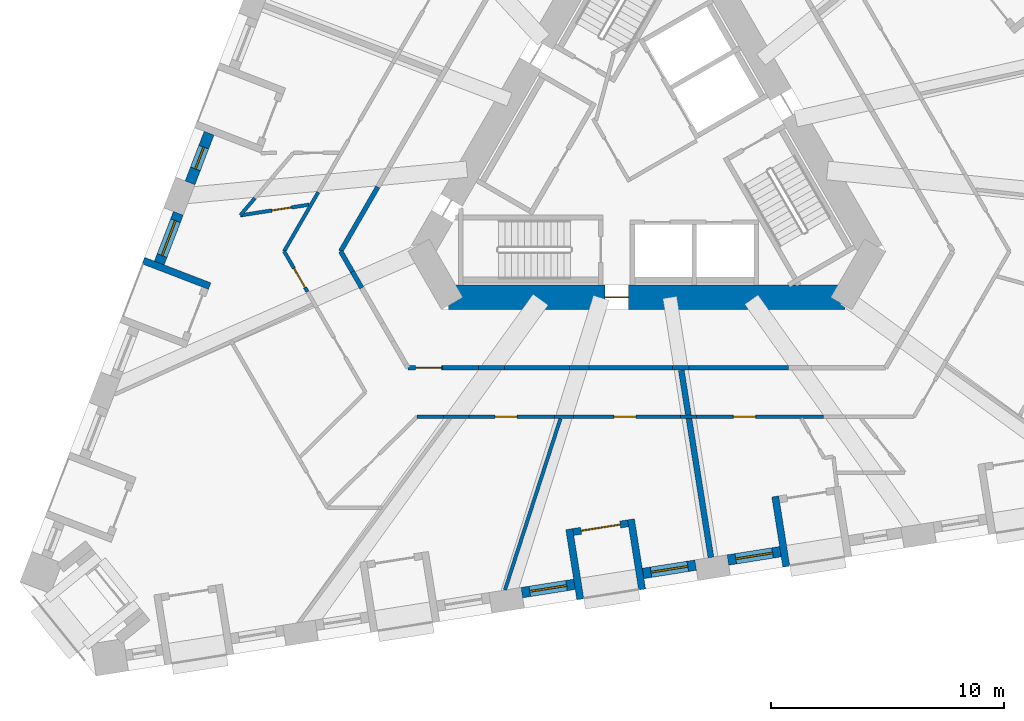
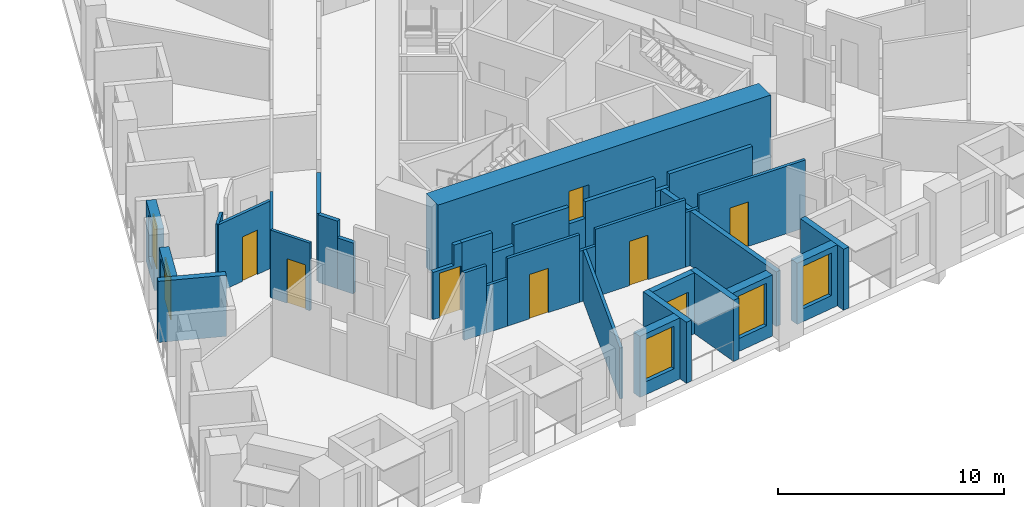
# One storey, part 3 of 13: 35 walls, 8 doors, 5 windows, 13 openings.
"""IFC4 building model written with IfcOpenShell, lengths in metres."""

import ifcopenshell
import ifcopenshell.guid

model = None  # the IFC model being written
_history = None  # IfcOwnerHistory: only IFC2X3 demands one
_inside = {}  # id of a spatial element -> (the spatial element, [elements in it])
_under = {}  # id of a project, library or spatial element -> (it, [spatial elements below it])
_declared = {}  # id of a project -> (the project, [libraries it declares])
_typed = {}  # id of a type object -> (the type object, [elements of that type])
_made_of = {}  # id of a material, layer set ... -> (it, [elements and type objects made of it])


def new_model(schema):
    """Start an empty IFC model of exactly this schema.

    Asked for "IFC4X3", IfcOpenShell would pick the latest addendum, in which some entities
    have other attributes; the version numbers below select the first issue.
    IFC2X3 requires an IfcOwnerHistory on every rooted entity: one is made here for all.
    """
    global model, _history
    if schema == "IFC4X3":
        model = ifcopenshell.file(schema_version=(4, 3, 0, 0))
    else:
        model = ifcopenshell.file(schema=schema)
    _inside.clear()
    _under.clear()
    _declared.clear()
    _typed.clear()
    _made_of.clear()
    _history = None
    if model.schema == "IFC2X3":
        org = make("IfcOrganization", Name="unknown")
        user = make(
            "IfcPersonAndOrganization",
            ThePerson=make("IfcPerson", FamilyName="unknown"),
            TheOrganization=org,
        )
        app = make(
            "IfcApplication",
            ApplicationDeveloper=org,
            Version="unknown",
            ApplicationFullName="unknown",
            ApplicationIdentifier="unknown",
        )
        _history = make(
            "IfcOwnerHistory",
            OwningUser=user,
            OwningApplication=app,
            ChangeAction="ADDED",
            CreationDate=0,
        )
    return model


def make(cls, **values):
    """One entity of the class cls with the attributes given. An attribute that is None is left unset."""
    return model.create_entity(
        cls, **{name: value for name, value in values.items() if value is not None}
    )


def rooted(cls, **values):
    """An entity with a GlobalId (a new one), such as an element, a storey or a relation."""
    return make(cls, GlobalId=ifcopenshell.guid.new(), OwnerHistory=_history, **values)


def si_unit(unit_type, name, prefix=None):
    """IfcSIUnit, for example si_unit("LENGTHUNIT", "METRE", prefix="MILLI")."""
    return make("IfcSIUnit", UnitType=unit_type, Prefix=prefix, Name=name)


def assignment(units):
    """IfcUnitAssignment: the units of a project."""
    return None if units is None else make("IfcUnitAssignment", Units=units)


def point(xyz):
    """IfcCartesianPoint."""
    return None if xyz is None else make("IfcCartesianPoint", Coordinates=xyz)


def direction(xyz):
    """IfcDirection."""
    return None if xyz is None else make("IfcDirection", DirectionRatios=xyz)


def frame(location, z_axis=None, x_axis=None):
    """IfcAxis2Placement3D, a coordinate frame: its origin and axes. An axis left out is left unset."""
    return make(
        "IfcAxis2Placement3D",
        Location=point(location),
        Axis=direction(z_axis),
        RefDirection=direction(x_axis),
    )


def frame_2d(location, x_axis=None):
    """IfcAxis2Placement2D, a coordinate frame in the plane: its origin and x axis."""
    return make(
        "IfcAxis2Placement2D", Location=point(location), RefDirection=direction(x_axis)
    )


def origin():
    """The frame at (0, 0, 0) with its axes left unset."""
    return frame((0.0, 0.0, 0.0))


def place(relative_to, where):
    """IfcLocalPlacement: puts the frame where relative to a parent placement (None: the world)."""
    return make(
        "IfcLocalPlacement", PlacementRelTo=relative_to, RelativePlacement=where
    )


def context(
    kind, dimensions, precision=None, world=None, true_north=None, identifier=None
):
    """IfcGeometricRepresentationContext, for example the 3D "Model" context."""
    return make(
        "IfcGeometricRepresentationContext",
        ContextIdentifier=identifier,
        ContextType=kind,
        CoordinateSpaceDimension=dimensions,
        Precision=precision,
        WorldCoordinateSystem=world,
        TrueNorth=true_north,
    )


def subcontext(parent, identifier, kind, view, scale=None):
    """IfcGeometricRepresentationSubContext, for example "Body" below "Model"."""
    return make(
        "IfcGeometricRepresentationSubContext",
        ContextIdentifier=identifier,
        ContextType=kind,
        ParentContext=parent,
        TargetScale=scale,
        TargetView=view,
    )


def project(units=None, contexts=None):
    """IfcProject with its units and contexts."""
    return rooted(
        "IfcProject",
        Name="project",
        RepresentationContexts=contexts,
        UnitsInContext=assignment(units),
    )


def spatial(cls, under=None, at=None, **own):
    """A site, building, storey or space (cls), placed at a placement, below another one or the project."""
    s = rooted(cls, ObjectPlacement=at, **own)
    if under is not None:
        _under.setdefault(under.id(), (under, []))[1].append(s)
    return s


def polyline(points):
    """IfcPolyline through the points."""
    return make("IfcPolyline", Points=[point(p) for p in points])


def profile(cls, at=None, kind="AREA", **sizes):
    """A parametric profile (cls). Its sizes go by their IFC names, for example OverallWidth=200.0."""
    return make(cls, ProfileType=kind, Position=at, **sizes)


def rectangle(**sizes):
    """IfcRectangleProfileDef."""
    return profile("IfcRectangleProfileDef", **sizes)


def outline(outer, holes=None, kind="AREA"):
    """IfcArbitraryClosedProfileDef: a profile drawn as a closed curve; with holes, ...WithVoids."""
    if holes is None:
        return make("IfcArbitraryClosedProfileDef", ProfileType=kind, OuterCurve=outer)
    return make(
        "IfcArbitraryProfileDefWithVoids",
        ProfileType=kind,
        OuterCurve=outer,
        InnerCurves=holes,
    )


def extrude(swept, where, along, depth):
    """IfcExtrudedAreaSolid: the profile swept, set in the frame where, extruded along a direction by depth."""
    return make(
        "IfcExtrudedAreaSolid",
        SweptArea=swept,
        Position=where,
        ExtrudedDirection=direction(along),
        Depth=depth,
    )


def shape(context_of_items, identifier, shape_type, items):
    """IfcShapeRepresentation: the items that make up one representation, for example the "Body"."""
    return make(
        "IfcShapeRepresentation",
        ContextOfItems=context_of_items,
        RepresentationIdentifier=identifier,
        RepresentationType=shape_type,
        Items=items,
    )


def material(Name=None, Category=None):
    """IfcMaterial."""
    return make("IfcMaterial", Name=Name, Category=Category)


def layer(
    of_material, thickness, ventilated=None, Name=None, Category=None, Priority=None
):
    """IfcMaterialLayer: one layer of a wall or slab, of a material (None: an air gap)."""
    return make(
        "IfcMaterialLayer",
        Material=of_material,
        LayerThickness=thickness,
        IsVentilated=ventilated,
        Name=Name,
        Category=Category,
        Priority=Priority,
    )


def layer_set(layers, Name=None):
    """IfcMaterialLayerSet."""
    return make("IfcMaterialLayerSet", MaterialLayers=layers, LayerSetName=Name)


def made_of(thing, what):
    """Note that an element or type object is made of a material, layer set ...; save() writes the relation."""
    if what is not None:
        _made_of.setdefault(what.id(), (what, []))[1].append(thing)
    return thing


def type_object(cls, material=None, **own):
    """A type object (cls), such as IfcWallType, which elements share."""
    return made_of(rooted(cls, **own), material)


def element(
    cls,
    number,
    at=None,
    inside=None,
    cuts=None,
    type_object=None,
    material=None,
    context=None,
    identifier="Body",
    shape_type=None,
    held_by="IfcProductDefinitionShape",
    body=None,
    shapes=None,
    **own,
):
    """One element of the class cls, such as IfcWall. Its Tag is "e" and its number.

    at: its placement. inside: the storey or other place that contains it. cuts: it is an
    opening in that element (IfcRelVoidsElement). A single representation is given by context,
    identifier, shape_type and body (its items); several are given by shapes. held_by: the class
    of the entity that holds the representations. save() writes the other relations.
    """
    e = rooted(cls, Tag="e%d" % number, ObjectPlacement=at, **own)
    if body is not None:
        shapes = [shape(context, identifier, shape_type, body)]
    if shapes is not None:
        e.Representation = make(held_by, Representations=shapes)
    if inside is not None:
        _inside.setdefault(inside.id(), (inside, []))[1].append(e)
    if cuts is not None:
        rooted(
            "IfcRelVoidsElement", RelatingBuildingElement=cuts, RelatedOpeningElement=e
        )
    if type_object is not None:
        _typed.setdefault(type_object.id(), (type_object, []))[1].append(e)
    return made_of(e, material)


def fill(opening, filler):
    """IfcRelFillsElement: the door or window that sits in an opening."""
    return rooted(
        "IfcRelFillsElement",
        RelatingOpeningElement=opening,
        RelatedBuildingElement=filler,
    )


def aggregate(whole, parts):
    """IfcRelAggregates: a whole, such as a stair, and the parts it consists of."""
    return rooted("IfcRelAggregates", RelatingObject=whole, RelatedObjects=parts)


def save(model, path):
    """Write the relations noted so far, then the file.

    IfcRelAggregates (storeys below a building ...), IfcRelContainedInSpatialStructure (elements
    in a storey), IfcRelDefinesByType, IfcRelAssociatesMaterial and IfcRelDeclares: one each for
    every whole, place, type object, material and project.
    """
    for whole, parts in _under.values():
        aggregate(whole, parts)
    for where, things in _inside.values():
        rooted(
            "IfcRelContainedInSpatialStructure",
            RelatedElements=things,
            RelatingStructure=where,
        )
    for kind, things in _typed.values():
        rooted("IfcRelDefinesByType", RelatedObjects=things, RelatingType=kind)
    for what, things in _made_of.values():
        rooted("IfcRelAssociatesMaterial", RelatedObjects=things, RelatingMaterial=what)
    for by, libraries in _declared.values():
        rooted("IfcRelDeclares", RelatingContext=by, RelatedDefinitions=libraries)
    model.write(path)


model = new_model("IFC4")

# Units and contexts
model_context = context("Model", 3, precision=1e-05, world=origin(), true_north=direction((0.0, 1.0)))
body_context = subcontext(model_context, "Body", "Model", "MODEL_VIEW")
ifc_project = project(units=[si_unit("LENGTHUNIT", "METRE"), si_unit("AREAUNIT", "SQUARE_METRE"), si_unit("VOLUMEUNIT", "CUBIC_METRE"), si_unit("PLANEANGLEUNIT", "RADIAN"), si_unit("MASSUNIT", "GRAM", prefix="KILO")], contexts=[model_context])

# Site, building, storey
site_placement = place(None, origin())
site = spatial("IfcSite", under=ifc_project, at=site_placement, CompositionType="ELEMENT")
building_placement = place(site_placement, origin())
building = spatial("IfcBuilding", under=site, at=building_placement, Name="Tramontana Tower", CompositionType="ELEMENT")
storey_placement = place(building_placement, frame((0.0, 0.0, 51.199951171875)))
storey = spatial("IfcBuildingStorey", under=building, at=storey_placement, Name="L10", CompositionType="ELEMENT", Elevation=51.199951171875)

# Wall, opening, door
ifc_material_1 = material(Name="Concrete 70 MPa", Category="concrete")
ifc_layer_1 = layer(ifc_material_1, 1.050048828125)
ifc_layer_set_1 = layer_set([ifc_layer_1], Name="Core wall 1050 70 MPa")
wall_type_1 = type_object("IfcWallType", Name="Core wall 1050 70 MPa", PredefinedType="SHEAR", material=ifc_layer_set_1)
wall_1_placement = place(storey_placement, frame((-8.50146484375, -6.22509765625, 0.0), z_axis=(0.0, 0.0, 1.0), x_axis=(1.0, 0.0, 0.0)))
wall_1 = element("IfcWall", 1, at=wall_1_placement, inside=storey, type_object=wall_type_1, Name="Core wall C3 L10", PredefinedType="SHEAR", context=body_context, shape_type="SweptSolid", body=[
    extrude(rectangle(XDim=17.0029296875, YDim=1.050048828125, at=frame_2d((8.50146484375, 0.0))), origin(), (0.0, 0.0, 1.0), 4.0),
])
opening_1_placement = place(wall_1_placement, frame((6.70654296875, 0.0, 0.0)))
opening_1 = element("IfcOpeningElement", 2, at=opening_1_placement, cuts=wall_1, Name="Opening RG2", PredefinedType="OPENING", context=body_context, shape_type="SweptSolid", body=[
    extrude(rectangle(XDim=1.0, YDim=2.39990234375, at=frame_2d((0.5, 1.199951171875))), frame((0.0, 0.534912109375, 0.0), z_axis=(0.0, -1.0, 0.0), x_axis=(1.0, 0.0, 0.0)), (0.0, 0.0, 1.0), 1.070068359375),
])
ifc_material_2 = material(Name="Painted steel", Category="steel")
door_type_1 = type_object("IfcDoorType", Name="RING DOOR 1000", OperationType="SINGLE_SWING_LEFT", PredefinedType="DOOR", material=ifc_material_2)
door_1_placement = place(opening_1_placement, origin())
door_1 = element("IfcDoor", 3, at=door_1_placement, inside=storey, type_object=door_type_1, Name="Door RG2", OperationType="SINGLE_SWING_RIGHT", OverallHeight=2.39990234375, OverallWidth=1.0, PredefinedType="DOOR", context=body_context, shape_type="SweptSolid", body=[
    extrude(rectangle(XDim=1.0, YDim=2.39990234375, at=frame_2d((0.5, 1.199951171875))), frame((0.0, 0.02490234375, 0.0), z_axis=(0.0, -1.0, 0.0), x_axis=(1.0, 0.0, 0.0)), (0.0, 0.0, 1.0), 0.050048828125),
])
fill(opening_1, door_1)

# Walls
ifc_material_3 = material(Name="Blockwork", Category="masonry")
ifc_layer_2 = layer(ifc_material_3, 0.199951171875)
ifc_layer_set_2 = layer_set([ifc_layer_2], Name="ENTRY WALL 200")
wall_type_2 = type_object("IfcWallType", Name="ENTRY WALL 200", PredefinedType="SOLIDWALL", material=ifc_layer_set_2)
wall_2_placement = place(storey_placement, frame((6.076171875, -9.25, 0.0), z_axis=(0.0, 0.0, 1.0), x_axis=(-1.0, 0.0, 0.0)))
element("IfcWall", 4, at=wall_2_placement, inside=storey, type_object=wall_type_2, Name="Wall v10-ew2-2", PredefinedType="SOLIDWALL", context=body_context, shape_type="SweptSolid", body=[
    extrude(rectangle(XDim=4.2568359375, YDim=0.199951171875, at=frame_2d((2.12841796875, 0.0))), origin(), (0.0, 0.0, 1.0), 3.650146484375),
])
wall_3_placement = place(storey_placement, frame((1.8193359375, -9.25, 0.0), z_axis=(0.0, 0.0, 1.0), x_axis=(-1.0, 0.0, 0.0)))
element("IfcWall", 5, at=wall_3_placement, inside=storey, type_object=wall_type_2, Name="Wall v10-ew2-3", PredefinedType="SOLIDWALL", context=body_context, shape_type="SweptSolid", body=[
    extrude(rectangle(XDim=0.708740234375, YDim=0.199951171875, at=frame_2d((0.3544921875, 0.0))), origin(), (0.0, 0.0, 1.0), 2.949951171875),
])
wall_4_placement = place(storey_placement, frame((1.110595703125, -9.25, 0.0), z_axis=(0.0, 0.0, 1.0), x_axis=(-1.0, 0.0, 0.0)))
element("IfcWall", 6, at=wall_4_placement, inside=storey, type_object=wall_type_2, Name="Wall v10-ew2-4", PredefinedType="SOLIDWALL", context=body_context, shape_type="SweptSolid", body=[
    extrude(rectangle(XDim=3.585205078125, YDim=0.199951171875, at=frame_2d((1.79248046875, 0.0))), origin(), (0.0, 0.0, 1.0), 3.650146484375),
])
wall_5_placement = place(storey_placement, frame((-2.474609375, -9.25, 0.0), z_axis=(0.0, 0.0, 1.0), x_axis=(-1.0, 0.0, 0.0)))
element("IfcWall", 7, at=wall_5_placement, inside=storey, type_object=wall_type_2, Name="Wall v10-ew2-5", PredefinedType="SOLIDWALL", context=body_context, shape_type="SweptSolid", body=[
    extrude(rectangle(XDim=0.838134765625, YDim=0.199951171875, at=frame_2d((0.4189453125, 0.0))), origin(), (0.0, 0.0, 1.0), 2.75),
])
wall_6_placement = place(storey_placement, frame((-3.312744140625, -9.25, 0.0), z_axis=(0.0, 0.0, 1.0), x_axis=(-1.0, 0.0, 0.0)))
element("IfcWall", 8, at=wall_6_placement, inside=storey, type_object=wall_type_2, Name="Wall v10-ew2-6", PredefinedType="SOLIDWALL", context=body_context, shape_type="SweptSolid", body=[
    extrude(rectangle(XDim=2.793701171875, YDim=0.199951171875, at=frame_2d((1.39697265625, 0.0))), origin(), (0.0, 0.0, 1.0), 3.650146484375),
])
wall_7_placement = place(storey_placement, frame((-6.1064453125, -9.25, 0.0), z_axis=(0.0, 0.0, 1.0), x_axis=(-1.0, 0.0, 0.0)))
element("IfcWall", 9, at=wall_7_placement, inside=storey, type_object=wall_type_2, Name="Wall v10-ew2-7", PredefinedType="SOLIDWALL", context=body_context, shape_type="SweptSolid", body=[
    extrude(rectangle(XDim=1.10888671875, YDim=0.199951171875, at=frame_2d((0.554443359375, 0.0))), origin(), (0.0, 0.0, 1.0), 2.550048828125),
])
wall_8_placement = place(storey_placement, frame((-7.21533203125, -9.25, 0.0), z_axis=(0.0, 0.0, 1.0), x_axis=(-1.0, 0.0, 0.0)))
element("IfcWall", 10, at=wall_8_placement, inside=storey, type_object=wall_type_2, Name="Wall v10-ew2-8", PredefinedType="SOLIDWALL", context=body_context, shape_type="SweptSolid", body=[
    extrude(rectangle(XDim=1.552978515625, YDim=0.199951171875, at=frame_2d((0.7763671875, 0.0))), origin(), (0.0, 0.0, 1.0), 3.650146484375),
])

# Wall, opening, door
wall_9_placement = place(storey_placement, frame((-10.248046875, -9.25, 0.0), z_axis=(0.0, 0.0, 1.0), x_axis=(1.0, 0.0, 0.0)))
wall_9 = element("IfcWall", 11, at=wall_9_placement, inside=storey, type_object=wall_type_2, Name="Wall v10-ew2-9", PredefinedType="SOLIDWALL", context=body_context, shape_type="SweptSolid", body=[
    extrude(outline(polyline([(0.0, 0.0), (1.479736328125, 0.0), (1.4794921875, 3.650146484375), (1.0703125, 3.650146484375), (1.0703125, 2.550048828125), (0.0, 2.550048828125), (0.0, 0.0)])), frame((0.0, 0.10009765625, 0.0), z_axis=(0.0, -1.0, 0.0), x_axis=(1.0, 0.0, 0.0)), (0.0, 0.0, 1.0), 0.199951171875),
])
opening_2_placement = place(wall_9_placement, frame((0.32958984375, 0.0, 0.0)))
opening_2 = element("IfcOpeningElement", 12, at=opening_2_placement, cuts=wall_9, Name="Opening B1A-29", PredefinedType="OPENING", context=body_context, shape_type="SweptSolid", body=[
    extrude(rectangle(XDim=1.10009765625, YDim=2.39990234375, at=frame_2d((0.550048828125, 1.199951171875))), frame((0.0, 0.10986328125, 0.0), z_axis=(0.0, -1.0, 0.0), x_axis=(1.0, 0.0, 0.0)), (0.0, 0.0, 1.0), 0.219970703125),
])
ifc_material_4 = material(Name="Painted timber", Category="wood")
door_type_2 = type_object("IfcDoorType", Name="DOOR ENTRY 1100", OperationType="SINGLE_SWING_LEFT", PredefinedType="DOOR", material=ifc_material_4)
door_2_placement = place(opening_2_placement, origin())
door_2 = element("IfcDoor", 13, at=door_2_placement, inside=storey, type_object=door_type_2, Name="Door B1A-29", OperationType="SINGLE_SWING_LEFT", OverallHeight=2.39990234375, OverallWidth=1.10009765625, PredefinedType="DOOR", context=body_context, shape_type="SweptSolid", body=[
    extrude(rectangle(XDim=1.10009765625, YDim=2.39990234375, at=frame_2d((0.550048828125, 1.199951171875))), frame((0.0, 0.02490234375, 0.0), z_axis=(0.0, -1.0, 0.0), x_axis=(1.0, 0.0, 0.0)), (0.0, 0.0, 1.0), 0.050048828125),
])
fill(opening_2, door_2)

# Walls
wall_10_placement = place(storey_placement, frame((-12.228515625, -5.819580078125, 0.0), z_axis=(0.0, 0.0, 1.0), x_axis=(-0.499923776705, 0.866069406852, 0.0)))
element("IfcWall", 14, at=wall_10_placement, inside=storey, type_object=wall_type_2, Name="Wall v10-ew3-4", PredefinedType="SOLIDWALL", context=body_context, shape_type="SweptSolid", body=[
    extrude(rectangle(XDim=0.804931640625, YDim=0.199951171875, at=frame_2d((0.40234375, 0.0))), origin(), (0.0, 0.0, 1.0), 2.75),
])
wall_11_placement = place(storey_placement, frame((-12.630859375, -5.12255859375, 0.0), z_axis=(0.0, 0.0, 1.0), x_axis=(-0.500099969036, 0.865967678941, 0.0)))
element("IfcWall", 15, at=wall_11_placement, inside=storey, type_object=wall_type_2, Name="Wall v10-ew3-5", PredefinedType="SOLIDWALL", context=body_context, shape_type="SweptSolid", body=[
    extrude(rectangle(XDim=1.007568359375, YDim=0.199951171875, at=frame_2d((0.50390625, 0.0))), origin(), (0.0, 0.0, 1.0), 3.650146484375),
])
wall_12_placement = place(storey_placement, frame((-13.134765625, -4.25, 0.0), z_axis=(0.0, 0.0, 1.0), x_axis=(0.50003154259, 0.866007191896, 0.0)))
element("IfcWall", 16, at=wall_12_placement, inside=storey, type_object=wall_type_2, Name="Wall v10-ew4-0", PredefinedType="SOLIDWALL", context=body_context, shape_type="SweptSolid", body=[
    extrude(rectangle(XDim=3.190673828125, YDim=0.199951171875, at=frame_2d((1.59521484375, 0.0))), origin(), (0.0, 0.0, 1.0), 3.650146484375),
])

# Wall, opening, window
ifc_material_5 = material(Name="Precast concrete 60 MPa", Category="concrete")
ifc_layer_3 = layer(ifc_material_5, 0.449951171875)
ifc_layer_set_3 = layer_set([ifc_layer_3], Name="Precast concrete 60 MPa, 450 mm")
wall_type_3 = type_object("IfcWallType", Name="EW1 Stone-faced precast wall 450", PredefinedType="SOLIDWALL", material=ifc_layer_set_3)
wall_13_placement = place(storey_placement, frame((-18.779052734375, 0.818115234375, 0.0), z_axis=(0.0, 0.0, 1.0), x_axis=(-0.358355550725, -0.933585185864, 0.0)))
wall_13 = element("IfcWall", 17, at=wall_13_placement, inside=storey, type_object=wall_type_3, Name="External wall L10 face 0 bay 4", PredefinedType="SOLIDWALL", context=body_context, shape_type="SweptSolid", body=[
    extrude(rectangle(XDim=2.282958984375, YDim=0.449951171875, at=frame_2d((1.1416015625, 0.0))), origin(), (0.0, 0.0, 1.0), 3.300048828125),
])
opening_3_placement = place(wall_13_placement, frame((0.6416015625, 0.0, 0.699951171875)))
opening_3 = element("IfcOpeningElement", 18, at=opening_3_placement, cuts=wall_13, Name="Opening N1", PredefinedType="OPENING", context=body_context, shape_type="SweptSolid", body=[
    extrude(rectangle(XDim=1.0, YDim=2.300048828125, at=frame_2d((0.5, 1.14990234375))), frame((0.0, 0.23486328125, 0.0), z_axis=(0.0, -1.0, 0.0), x_axis=(1.0, 0.0, 0.0)), (0.0, 0.0, 1.0), 0.469970703125),
])
ifc_material_6 = material(Name="Aluminum frame, double glazing unit", Category="aluminium")
window_type_1 = type_object("IfcWindowType", Name="N1 Window 1 x 2.3", PartitioningType="SINGLE_PANEL", PredefinedType="WINDOW", material=ifc_material_6)
window_1_placement = place(opening_3_placement, origin())
window_1 = element("IfcWindow", 19, at=window_1_placement, inside=storey, type_object=window_type_1, Name="Window N1 L10 face 0 module 12", OverallHeight=2.300048828125, OverallWidth=1.0, PartitioningType="SINGLE_PANEL", PredefinedType="WINDOW", context=body_context, shape_type="SweptSolid", body=[
    extrude(rectangle(XDim=1.0, YDim=2.300048828125, at=frame_2d((0.5, 1.14990234375))), frame((0.0, 0.030029296875, 0.0), z_axis=(0.0, -1.0, 0.0), x_axis=(1.0, 0.0, 0.0)), (0.0, 0.0, 1.0), 0.06005859375),
])
fill(opening_3, window_1)

wall_14_placement = place(storey_placement, frame((-20.098876953125, -2.6201171875, 0.0), z_axis=(0.0, 0.0, 1.0), x_axis=(-0.358355550725, -0.933585185864, 0.0)))
wall_14 = element("IfcWall", 20, at=wall_14_placement, inside=storey, type_object=wall_type_3, Name="External wall L10 face 0 bay 5", PredefinedType="SOLIDWALL", context=body_context, shape_type="SweptSolid", body=[
    extrude(rectangle(XDim=2.282958984375, YDim=0.449951171875, at=frame_2d((1.1416015625, 0.0))), origin(), (0.0, 0.0, 1.0), 3.300048828125),
])
opening_4_placement = place(wall_14_placement, frame((0.341552734375, 0.0, 0.699951171875)))
opening_4 = element("IfcOpeningElement", 21, at=opening_4_placement, cuts=wall_14, Name="Opening M1", PredefinedType="OPENING", context=body_context, shape_type="SweptSolid", body=[
    extrude(rectangle(XDim=1.60009765625, YDim=2.300048828125, at=frame_2d((0.800048828125, 1.14990234375))), frame((0.0, 0.23486328125, 0.0), z_axis=(0.0, -1.0, 0.0), x_axis=(1.0, 0.0, 0.0)), (0.0, 0.0, 1.0), 0.469970703125),
])
ifc_material_7 = material(Name="Aluminum frame, double glazing unit", Category="aluminium")
window_type_2 = type_object("IfcWindowType", Name="M1 Window 1.6 x 2.3", PartitioningType="SINGLE_PANEL", PredefinedType="WINDOW", material=ifc_material_7)
window_2_placement = place(opening_4_placement, origin())
window_2 = element("IfcWindow", 22, at=window_2_placement, inside=storey, type_object=window_type_2, Name="Window M1 L10 face 0 module 13", OverallHeight=2.300048828125, OverallWidth=1.60009765625, PartitioningType="SINGLE_PANEL", PredefinedType="WINDOW", context=body_context, shape_type="SweptSolid", body=[
    extrude(rectangle(XDim=1.60009765625, YDim=2.300048828125, at=frame_2d((0.800048828125, 1.14990234375))), frame((0.0, 0.030029296875, 0.0), z_axis=(0.0, -1.0, 0.0), x_axis=(1.0, 0.0, 0.0)), (0.0, 0.0, 1.0), 0.06005859375),
])
fill(opening_4, window_2)

wall_15_placement = place(storey_placement, frame((-5.35888671875, -18.89599609375, 0.0), z_axis=(0.0, 0.0, 1.0), x_axis=(0.987685675151, 0.156451293065, 0.0)))
wall_15 = element("IfcWall", 23, at=wall_15_placement, inside=storey, type_object=wall_type_3, Name="External wall L10 face 1 bay 3", PredefinedType="SOLIDWALL", context=body_context, shape_type="SweptSolid", body=[
    extrude(rectangle(XDim=2.282958984375, YDim=0.449951171875, at=frame_2d((1.1416015625, 0.0))), origin(), (0.0, 0.0, 1.0), 3.300048828125),
])
opening_5_placement = place(wall_15_placement, frame((0.341552734375, 0.0, 0.699951171875)))
opening_5 = element("IfcOpeningElement", 24, at=opening_5_placement, cuts=wall_15, Name="Opening M1", PredefinedType="OPENING", context=body_context, shape_type="SweptSolid", body=[
    extrude(rectangle(XDim=1.60009765625, YDim=2.300048828125, at=frame_2d((0.800048828125, 1.14990234375))), frame((0.0, 0.23486328125, 0.0), z_axis=(0.0, -1.0, 0.0), x_axis=(1.0, 0.0, 0.0)), (0.0, 0.0, 1.0), 0.469970703125),
])
window_3_placement = place(opening_5_placement, origin())
window_3 = element("IfcWindow", 25, at=window_3_placement, inside=storey, type_object=window_type_2, Name="Window M1 L10 face 1 module 7", OverallHeight=2.300048828125, OverallWidth=1.60009765625, PartitioningType="SINGLE_PANEL", PredefinedType="WINDOW", context=body_context, shape_type="SweptSolid", body=[
    extrude(rectangle(XDim=1.60009765625, YDim=2.300048828125, at=frame_2d((0.800048828125, 1.14990234375))), frame((0.0, 0.030029296875, 0.0), z_axis=(0.0, -1.0, 0.0), x_axis=(1.0, 0.0, 0.0)), (0.0, 0.0, 1.0), 0.06005859375),
])
fill(opening_5, window_3)

wall_16_placement = place(storey_placement, frame((-0.15771484375, -18.072265625, 0.0), z_axis=(0.0, 0.0, 1.0), x_axis=(0.987685675151, 0.156451293065, 0.0)))
wall_16 = element("IfcWall", 26, at=wall_16_placement, inside=storey, type_object=wall_type_3, Name="External wall L10 face 1 bay 3", PredefinedType="SOLIDWALL", context=body_context, shape_type="SweptSolid", body=[
    extrude(rectangle(XDim=2.282958984375, YDim=0.449951171875, at=frame_2d((1.1416015625, 0.0))), origin(), (0.0, 0.0, 1.0), 3.300048828125),
])
opening_6_placement = place(wall_16_placement, frame((0.341552734375, 0.0, 0.699951171875)))
opening_6 = element("IfcOpeningElement", 27, at=opening_6_placement, cuts=wall_16, Name="Opening M1", PredefinedType="OPENING", context=body_context, shape_type="SweptSolid", body=[
    extrude(rectangle(XDim=1.60009765625, YDim=2.300048828125, at=frame_2d((0.800048828125, 1.14990234375))), frame((0.0, 0.23486328125, 0.0), z_axis=(0.0, -1.0, 0.0), x_axis=(1.0, 0.0, 0.0)), (0.0, 0.0, 1.0), 0.469970703125),
])
window_4_placement = place(opening_6_placement, origin())
window_4 = element("IfcWindow", 28, at=window_4_placement, inside=storey, type_object=window_type_2, Name="Window M1 L10 face 1 module 9", OverallHeight=2.300048828125, OverallWidth=1.60009765625, PartitioningType="SINGLE_PANEL", PredefinedType="WINDOW", context=body_context, shape_type="SweptSolid", body=[
    extrude(rectangle(XDim=1.60009765625, YDim=2.300048828125, at=frame_2d((0.800048828125, 1.14990234375))), frame((0.0, 0.030029296875, 0.0), z_axis=(0.0, -1.0, 0.0), x_axis=(1.0, 0.0, 0.0)), (0.0, 0.0, 1.0), 0.06005859375),
])
fill(opening_6, window_4)

wall_17_placement = place(storey_placement, frame((3.479736328125, -17.49609375, 0.0), z_axis=(0.0, 0.0, 1.0), x_axis=(0.987685675151, 0.156451293065, 0.0)))
wall_17 = element("IfcWall", 29, at=wall_17_placement, inside=storey, type_object=wall_type_3, Name="External wall L10 face 1 bay 4", PredefinedType="SOLIDWALL", context=body_context, shape_type="SweptSolid", body=[
    extrude(rectangle(XDim=2.282958984375, YDim=0.449951171875, at=frame_2d((1.1416015625, 0.0))), origin(), (0.0, 0.0, 1.0), 3.300048828125),
])
opening_7_placement = place(wall_17_placement, frame((0.341552734375, 0.0, 0.699951171875)))
opening_7 = element("IfcOpeningElement", 30, at=opening_7_placement, cuts=wall_17, Name="Opening M1", PredefinedType="OPENING", context=body_context, shape_type="SweptSolid", body=[
    extrude(rectangle(XDim=1.60009765625, YDim=2.300048828125, at=frame_2d((0.800048828125, 1.14990234375))), frame((0.0, 0.23486328125, 0.0), z_axis=(0.0, -1.0, 0.0), x_axis=(1.0, 0.0, 0.0)), (0.0, 0.0, 1.0), 0.469970703125),
])
window_5_placement = place(opening_7_placement, origin())
window_5 = element("IfcWindow", 31, at=window_5_placement, inside=storey, type_object=window_type_2, Name="Window M1 L10 face 1 module 10", OverallHeight=2.300048828125, OverallWidth=1.60009765625, PartitioningType="SINGLE_PANEL", PredefinedType="WINDOW", context=body_context, shape_type="SweptSolid", body=[
    extrude(rectangle(XDim=1.60009765625, YDim=2.300048828125, at=frame_2d((0.800048828125, 1.14990234375))), frame((0.0, 0.030029296875, 0.0), z_axis=(0.0, -1.0, 0.0), x_axis=(1.0, 0.0, 0.0)), (0.0, 0.0, 1.0), 0.06005859375),
])
fill(opening_7, window_5)

# Wall
ifc_material_8 = material(Name="Precast concrete 60 MPa", Category="concrete")
ifc_layer_4 = layer(ifc_material_8, 0.300048828125)
ifc_layer_set_4 = layer_set([ifc_layer_4], Name="LW1 Stone-faced loggia wall 300")
wall_type_4 = type_object("IfcWallType", Name="LW1 Stone-faced loggia wall 300", PredefinedType="SOLIDWALL", material=ifc_layer_set_4)
wall_18_placement = place(storey_placement, frame((-21.60107421875, -4.649658203125, 0.0), z_axis=(0.0, 0.0, 1.0), x_axis=(0.933580593625, -0.358367514161, 0.0)))
element("IfcWall", 32, at=wall_18_placement, inside=storey, type_object=wall_type_4, Name="Loggia return L10 G1S0.13a", PredefinedType="SOLIDWALL", context=body_context, shape_type="SweptSolid", body=[
    extrude(rectangle(XDim=3.050048828125, YDim=0.300048828125, at=frame_2d((1.52490234375, 0.0))), origin(), (0.0, 0.0, 1.0), 3.300048828125),
])

# Wall, opening, door
wall_19_placement = place(storey_placement, frame((-3.15576171875, -16.294189453125, 0.0), z_axis=(0.0, 0.0, 1.0), x_axis=(0.987685586014, 0.156451855793, 0.0)))
wall_19 = element("IfcWall", 33, at=wall_19_placement, inside=storey, type_object=wall_type_4, Name="Loggia wall L10 G1S1.7", PredefinedType="SOLIDWALL", context=body_context, shape_type="SweptSolid", body=[
    extrude(rectangle(XDim=2.3828125, YDim=0.300048828125, at=frame_2d((1.19140625, 0.0))), origin(), (0.0, 0.0, 1.0), 3.300048828125),
])
opening_8_placement = place(wall_19_placement, frame((0.341552734375, 0.0, 0.0)))
opening_8 = element("IfcOpeningElement", 34, at=opening_8_placement, cuts=wall_19, Name="Opening BD-1S1-07", PredefinedType="OPENING", context=body_context, shape_type="SweptSolid", body=[
    extrude(rectangle(XDim=1.699951171875, YDim=2.39990234375, at=frame_2d((0.85009765625, 1.199951171875))), frame((0.0, 0.159912109375, 0.0), z_axis=(0.0, -1.0, 0.0), x_axis=(1.0, 0.0, 0.0)), (0.0, 0.0, 1.0), 0.320068359375),
])
ifc_material_9 = material(Name="Aluminum frame, double glazing unit", Category="aluminium")
door_type_3 = type_object("IfcDoorType", Name="BD1 Sliding door 1.7 x 2.4", OperationType="SLIDING_TO_LEFT", PredefinedType="DOOR", material=ifc_material_9)
door_3_placement = place(opening_8_placement, origin())
door_3 = element("IfcDoor", 35, at=door_3_placement, inside=storey, type_object=door_type_3, Name="Loggia door L10 G1S1.7", OperationType="SLIDING_TO_LEFT", OverallHeight=2.39990234375, OverallWidth=1.699951171875, PredefinedType="DOOR", context=body_context, shape_type="SweptSolid", body=[
    extrude(rectangle(XDim=1.699951171875, YDim=2.39990234375, at=frame_2d((0.85009765625, 1.199951171875))), frame((0.0, 0.02490234375, 0.0), z_axis=(0.0, -1.0, 0.0), x_axis=(1.0, 0.0, 0.0)), (0.0, 0.0, 1.0), 0.050048828125),
])
fill(opening_8, door_3)

# Walls
for number, where, z_axis, x_axis, name in (
    (36, (-2.850341796875, -19.18212890625, 0.0), (0.0, 0.0, 1.0), (-0.156410600741, 0.987692120033, 0.0), "Loggia return L10 G1S1.7a"),
    (37, (-0.200439453125, -18.762451171875, 0.0), (0.0, 0.0, 1.0), (-0.156410600741, 0.987692120033, 0.0), "Loggia return L10 G1S1.7b"),
    (38, (5.988525390625, -17.7822265625, 0.0), (0.0, 0.0, 1.0), (-0.156488687365, 0.987679751097, 0.0), "Loggia return L10 G1S1.10a"),
):
    element("IfcWall", number, at=place(storey_placement, frame(where, z_axis=z_axis, x_axis=x_axis)), inside=storey, type_object=wall_type_4, Name=name, PredefinedType="SOLIDWALL", context=body_context, shape_type="SweptSolid", body=[
        extrude(rectangle(XDim=3.050048828125, YDim=0.300048828125, at=frame_2d((1.52490234375, 0.0))), origin(), (0.0, 0.0, 1.0), 3.300048828125),
    ])
ifc_material_10 = material(Name="Gypsum board partition")
ifc_layer_5 = layer(ifc_material_10, 0.14990234375)
ifc_layer_set_5 = layer_set([ifc_layer_5], Name="PARTITION 150")
wall_type_5 = type_object("IfcWallType", Name="PARTITION 150", PredefinedType="PARTITIONING", material=ifc_layer_set_5)
wall_20_placement = place(storey_placement, frame((-17.43798828125, -2.703369140625, 0.0), z_axis=(0.0, 0.0, 1.0), x_axis=(0.647272566257, 0.76225863391, 0.0)))
element("IfcWall", 39, at=wall_20_placement, inside=storey, type_object=wall_type_5, Name="Wall v10-pw01-0", PredefinedType="PARTITIONING", context=body_context, shape_type="SweptSolid", body=[
    extrude(rectangle(XDim=0.9619140625, YDim=0.14990234375, at=frame_2d((0.48095703125, 0.0))), origin(), (0.0, 0.0, 1.0), 3.650146484375),
])

# Wall, opening, door
wall_21_placement = place(storey_placement, frame((-17.434814453125, -2.707763671875, 0.0), z_axis=(0.0, 0.0, 1.0), x_axis=(0.988146894604, 0.153511285203, 0.0)))
wall_21 = element("IfcWall", 40, at=wall_21_placement, inside=storey, type_object=wall_type_5, Name="Wall v10-pw02", PredefinedType="PARTITIONING", context=body_context, shape_type="SweptSolid", body=[
    extrude(rectangle(XDim=2.977294921875, YDim=0.14990234375, at=frame_2d((1.48876953125, 0.0))), origin(), (0.0, 0.0, 1.0), 3.650146484375),
])
opening_9_placement = place(wall_21_placement, frame((1.3701171875, 0.0, 0.0)))
opening_9 = element("IfcOpeningElement", 41, at=opening_9_placement, cuts=wall_21, Name="Opening B1A-17", PredefinedType="OPENING", context=body_context, shape_type="SweptSolid", body=[
    extrude(rectangle(XDim=0.85009765625, YDim=2.39990234375, at=frame_2d((0.425048828125, 1.199951171875))), frame((0.0, 0.0849609375, 0.0), z_axis=(0.0, -1.0, 0.0), x_axis=(1.0, 0.0, 0.0)), (0.0, 0.0, 1.0), 0.169921875),
])
ifc_material_11 = material(Name="Painted timber", Category="wood")
door_type_4 = type_object("IfcDoorType", Name="DOOR BATH 850", OperationType="SINGLE_SWING_LEFT", PredefinedType="DOOR", material=ifc_material_11)
door_4_placement = place(opening_9_placement, origin())
door_4 = element("IfcDoor", 42, at=door_4_placement, inside=storey, type_object=door_type_4, Name="Door B1A-17", OperationType="SINGLE_SWING_LEFT", OverallHeight=2.39990234375, OverallWidth=0.85009765625, PredefinedType="DOOR", context=body_context, shape_type="SweptSolid", body=[
    extrude(rectangle(XDim=0.85009765625, YDim=2.39990234375, at=frame_2d((0.425048828125, 1.199951171875))), frame((0.0, 0.02490234375, 0.0), z_axis=(0.0, -1.0, 0.0), x_axis=(1.0, 0.0, 0.0)), (0.0, 0.0, 1.0), 0.050048828125),
])
fill(opening_9, door_4)

wall_22_placement = place(storey_placement, frame((-14.55810546875, -5.984619140625, 0.0), z_axis=(0.0, 0.0, 1.0), x_axis=(-0.499993265928, 0.866029291668, 0.0)))
wall_22 = element("IfcWall", 43, at=wall_22_placement, inside=storey, type_object=wall_type_5, Name="Wall v10-pw07-4", PredefinedType="PARTITIONING", context=body_context, shape_type="SweptSolid", body=[
    extrude(rectangle(XDim=2.0029296875, YDim=0.14990234375, at=frame_2d((1.00146484375, 0.0))), origin(), (0.0, 0.0, 1.0), 3.650146484375),
])
opening_10_placement = place(wall_22_placement, frame((0.210693359375, 0.0, 0.0)))
opening_10 = element("IfcOpeningElement", 44, at=opening_10_placement, cuts=wall_22, Name="Opening B1A-13", PredefinedType="OPENING", context=body_context, shape_type="SweptSolid", body=[
    extrude(rectangle(XDim=0.949951171875, YDim=2.39990234375, at=frame_2d((0.47509765625, 1.199951171875))), frame((0.0, 0.0849609375, 0.0), z_axis=(0.0, -1.0, 0.0), x_axis=(1.0, 0.0, 0.0)), (0.0, 0.0, 1.0), 0.169921875),
])
ifc_material_12 = material(Name="Painted timber", Category="wood")
door_type_5 = type_object("IfcDoorType", Name="DOOR ROOM 950", OperationType="SINGLE_SWING_LEFT", PredefinedType="DOOR", material=ifc_material_12)
door_5_placement = place(opening_10_placement, origin())
door_5 = element("IfcDoor", 45, at=door_5_placement, inside=storey, type_object=door_type_5, Name="Door B1A-13", OperationType="SINGLE_SWING_LEFT", OverallHeight=2.39990234375, OverallWidth=0.949951171875, PredefinedType="DOOR", context=body_context, shape_type="SweptSolid", body=[
    extrude(rectangle(XDim=0.949951171875, YDim=2.39990234375, at=frame_2d((0.47509765625, 1.199951171875))), frame((0.0, 0.02490234375, 0.0), z_axis=(0.0, -1.0, 0.0), x_axis=(1.0, 0.0, 0.0)), (0.0, 0.0, 1.0), 0.050048828125),
])
fill(opening_10, door_5)

# Walls
wall_23_placement = place(storey_placement, frame((-14.095703125, -1.714599609375, 0.0), z_axis=(0.0, 0.0, 1.0), x_axis=(-0.500013600279, -0.866017551517, 0.0)))
element("IfcWall", 46, at=wall_23_placement, inside=storey, type_object=wall_type_5, Name="Wall v10-pw16-8", PredefinedType="PARTITIONING", context=body_context, shape_type="SweptSolid", body=[
    extrude(rectangle(XDim=2.927734375, YDim=0.14990234375, at=frame_2d((1.4638671875, 0.0))), origin(), (0.0, 0.0, 1.0), 3.650146484375),
])
wall_24_placement = place(storey_placement, frame((-3.70166015625, -11.425048828125, 0.0), z_axis=(0.0, 0.0, 1.0), x_axis=(-0.308195921166, -0.951322907417, 0.0)))
element("IfcWall", 47, at=wall_24_placement, inside=storey, type_object=wall_type_5, Name="Wall v10-pw19-0", PredefinedType="PARTITIONING", context=body_context, shape_type="SweptSolid", body=[
    extrude(rectangle(XDim=7.734619140625, YDim=0.14990234375, at=frame_2d((3.8671875, 0.0))), origin(), (0.0, 0.0, 1.0), 2.75),
])

# Wall, opening, door
wall_25_placement = place(storey_placement, frame((7.582275390625, -11.35009765625, 0.0), z_axis=(0.0, 0.0, 1.0), x_axis=(-1.0, 0.0, 0.0)))
wall_25 = element("IfcWall", 48, at=wall_25_placement, inside=storey, type_object=wall_type_5, Name="Wall v10-pw35-2", PredefinedType="PARTITIONING", context=body_context, shape_type="SweptSolid", body=[
    extrude(rectangle(XDim=5.44287109375, YDim=0.14990234375, at=frame_2d((2.721435546875, 0.0))), origin(), (0.0, 0.0, 1.0), 3.650146484375),
])
opening_11_placement = place(wall_25_placement, frame((2.91552734375, 0.0, 0.0)))
opening_11 = element("IfcOpeningElement", 49, at=opening_11_placement, cuts=wall_25, Name="Opening B1A-22", PredefinedType="OPENING", context=body_context, shape_type="SweptSolid", body=[
    extrude(rectangle(XDim=0.949951171875, YDim=2.39990234375, at=frame_2d((0.47509765625, 1.199951171875))), frame((0.0, 0.0849609375, 0.0), z_axis=(0.0, -1.0, 0.0), x_axis=(1.0, 0.0, 0.0)), (0.0, 0.0, 1.0), 0.169921875),
])
door_6_placement = place(opening_11_placement, origin())
door_6 = element("IfcDoor", 50, at=door_6_placement, inside=storey, type_object=door_type_5, Name="Door B1A-22", OperationType="SINGLE_SWING_RIGHT", OverallHeight=2.39990234375, OverallWidth=0.949951171875, PredefinedType="DOOR", context=body_context, shape_type="SweptSolid", body=[
    extrude(rectangle(XDim=0.949951171875, YDim=2.39990234375, at=frame_2d((0.47509765625, 1.199951171875))), frame((0.0, 0.02490234375, 0.0), z_axis=(0.0, -1.0, 0.0), x_axis=(1.0, 0.0, 0.0)), (0.0, 0.0, 1.0), 0.050048828125),
])
fill(opening_11, door_6)

# Wall
wall_26_placement = place(storey_placement, frame((2.139404296875, -11.35009765625, 0.0), z_axis=(0.0, 0.0, 1.0), x_axis=(-1.0, 0.0, 0.0)))
element("IfcWall", 51, at=wall_26_placement, inside=storey, type_object=wall_type_5, Name="Wall v10-pw35-3", PredefinedType="PARTITIONING", context=body_context, shape_type="SweptSolid", body=[
    extrude(rectangle(XDim=0.683349609375, YDim=0.14990234375, at=frame_2d((0.341796875, 0.0))), origin(), (0.0, 0.0, 1.0), 2.949951171875),
])

# Wall, opening, door
wall_27_placement = place(storey_placement, frame((1.4560546875, -11.35009765625, 0.0), z_axis=(0.0, 0.0, 1.0), x_axis=(-1.0, 0.0, 0.0)))
wall_27 = element("IfcWall", 52, at=wall_27_placement, inside=storey, type_object=wall_type_5, Name="Wall v10-pw35-4", PredefinedType="PARTITIONING", context=body_context, shape_type="SweptSolid", body=[
    extrude(rectangle(XDim=4.600830078125, YDim=0.14990234375, at=frame_2d((2.30029296875, 0.0))), origin(), (0.0, 0.0, 1.0), 3.650146484375),
])
opening_12_placement = place(wall_27_placement, frame((1.92236328125, 0.0, 0.0)))
opening_12 = element("IfcOpeningElement", 53, at=opening_12_placement, cuts=wall_27, Name="Opening B1A-16", PredefinedType="OPENING", context=body_context, shape_type="SweptSolid", body=[
    extrude(rectangle(XDim=0.949951171875, YDim=2.39990234375, at=frame_2d((0.47509765625, 1.199951171875))), frame((0.0, 0.0849609375, 0.0), z_axis=(0.0, -1.0, 0.0), x_axis=(1.0, 0.0, 0.0)), (0.0, 0.0, 1.0), 0.169921875),
])
door_7_placement = place(opening_12_placement, origin())
door_7 = element("IfcDoor", 54, at=door_7_placement, inside=storey, type_object=door_type_5, Name="Door B1A-16", OperationType="SINGLE_SWING_RIGHT", OverallHeight=2.39990234375, OverallWidth=0.949951171875, PredefinedType="DOOR", context=body_context, shape_type="SweptSolid", body=[
    extrude(rectangle(XDim=0.949951171875, YDim=2.39990234375, at=frame_2d((0.47509765625, 1.199951171875))), frame((0.0, 0.02490234375, 0.0), z_axis=(0.0, -1.0, 0.0), x_axis=(1.0, 0.0, 0.0)), (0.0, 0.0, 1.0), 0.050048828125),
])
fill(opening_12, door_7)

# Wall
wall_28_placement = place(storey_placement, frame((-3.144775390625, -11.35009765625, 0.0), z_axis=(0.0, 0.0, 1.0), x_axis=(-1.0, 0.0, 0.0)))
element("IfcWall", 55, at=wall_28_placement, inside=storey, type_object=wall_type_5, Name="Wall v10-pw35-5", PredefinedType="PARTITIONING", context=body_context, shape_type="SweptSolid", body=[
    extrude(rectangle(XDim=0.81201171875, YDim=0.14990234375, at=frame_2d((0.406005859375, 0.0))), origin(), (0.0, 0.0, 1.0), 2.75),
])

# Wall, opening, door
wall_29_placement = place(storey_placement, frame((-3.956787109375, -11.35009765625, 0.0), z_axis=(0.0, 0.0, 1.0), x_axis=(-1.0, 0.0, 0.0)))
wall_29 = element("IfcWall", 56, at=wall_29_placement, inside=storey, type_object=wall_type_5, Name="Wall v10-pw35-6", PredefinedType="PARTITIONING", context=body_context, shape_type="SweptSolid", body=[
    extrude(rectangle(XDim=3.67724609375, YDim=0.14990234375, at=frame_2d((1.838623046875, 0.0))), origin(), (0.0, 0.0, 1.0), 3.650146484375),
])
opening_13_placement = place(wall_29_placement, frame((1.603515625, 0.0, 0.0)))
opening_13 = element("IfcOpeningElement", 57, at=opening_13_placement, cuts=wall_29, Name="Opening B1A-15", PredefinedType="OPENING", context=body_context, shape_type="SweptSolid", body=[
    extrude(rectangle(XDim=0.949951171875, YDim=2.39990234375, at=frame_2d((0.47509765625, 1.199951171875))), frame((0.0, 0.0849609375, 0.0), z_axis=(0.0, -1.0, 0.0), x_axis=(1.0, 0.0, 0.0)), (0.0, 0.0, 1.0), 0.169921875),
])
door_8_placement = place(opening_13_placement, origin())
door_8 = element("IfcDoor", 58, at=door_8_placement, inside=storey, type_object=door_type_5, Name="Door B1A-15", OperationType="SINGLE_SWING_LEFT", OverallHeight=2.39990234375, OverallWidth=0.949951171875, PredefinedType="DOOR", context=body_context, shape_type="SweptSolid", body=[
    extrude(rectangle(XDim=0.949951171875, YDim=2.39990234375, at=frame_2d((0.47509765625, 1.199951171875))), frame((0.0, 0.02490234375, 0.0), z_axis=(0.0, -1.0, 0.0), x_axis=(1.0, 0.0, 0.0)), (0.0, 0.0, 1.0), 0.050048828125),
])
fill(opening_13, door_8)

# Walls
wall_30_placement = place(storey_placement, frame((-7.634033203125, -11.35009765625, 0.0), z_axis=(0.0, 0.0, 1.0), x_axis=(-1.0, 0.0, 0.0)))
element("IfcWall", 59, at=wall_30_placement, inside=storey, type_object=wall_type_5, Name="Wall v10-pw35-7", PredefinedType="PARTITIONING", context=body_context, shape_type="SweptSolid", body=[
    extrude(rectangle(XDim=1.078125, YDim=0.14990234375, at=frame_2d((0.5390625, 0.0))), origin(), (0.0, 0.0, 1.0), 2.550048828125),
])
wall_31_placement = place(storey_placement, frame((-8.712158203125, -11.35009765625, 0.0), z_axis=(0.0, 0.0, 1.0), x_axis=(-1.0, 0.0, 0.0)))
element("IfcWall", 60, at=wall_31_placement, inside=storey, type_object=wall_type_5, Name="Wall v10-pw35-8", PredefinedType="PARTITIONING", context=body_context, shape_type="SweptSolid", body=[
    extrude(rectangle(XDim=1.146240234375, YDim=0.14990234375, at=frame_2d((0.5732421875, 0.0))), origin(), (0.0, 0.0, 1.0), 3.650146484375),
])
ifc_material_13 = material(Name="Blockwork", Category="masonry")
ifc_layer_6 = layer(ifc_material_13, 0.25)
ifc_layer_set_6 = layer_set([ifc_layer_6], Name="PARTY WALL 250")
wall_type_6 = type_object("IfcWallType", Name="PARTY WALL 250", PredefinedType="SOLIDWALL", material=ifc_layer_set_6)
wall_32_placement = place(storey_placement, frame((1.48095703125, -9.35009765625, 0.0), z_axis=(0.0, 0.0, 1.0), x_axis=(0.15642036173, -0.987690574237, 0.0)))
element("IfcWall", 61, at=wall_32_placement, inside=storey, type_object=wall_type_6, Name="Wall v10-pw21-0", PredefinedType="SOLIDWALL", context=body_context, shape_type="SweptSolid", body=[
    extrude(rectangle(XDim=8.13330078125, YDim=0.25, at=frame_2d((4.066650390625, 0.0))), origin(), (0.0, 0.0, 1.0), 2.949951171875),
])

save(model, "model.ifc")
